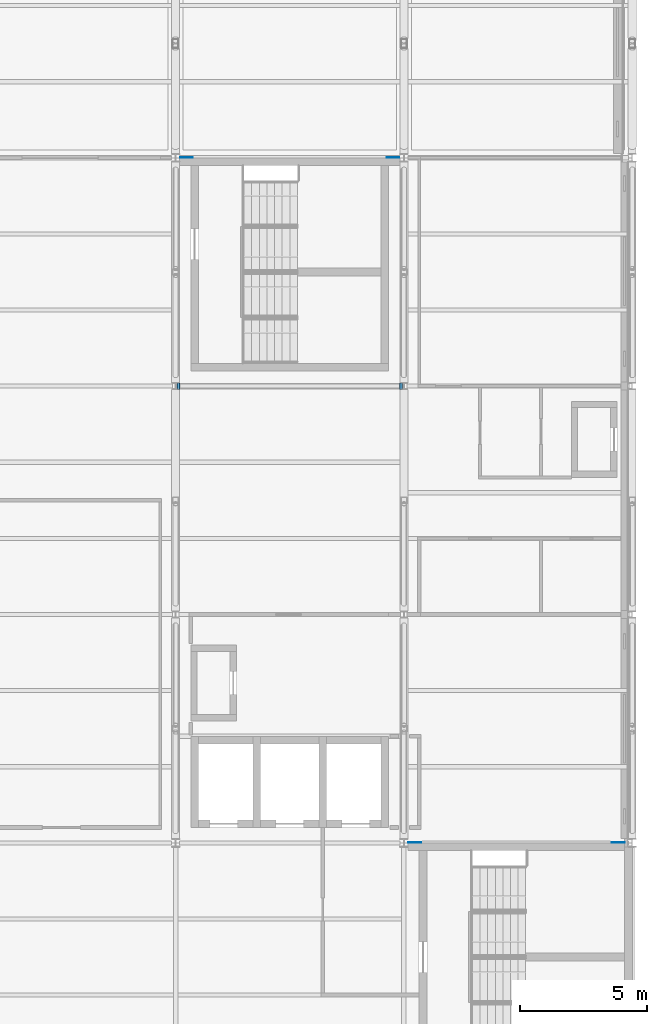
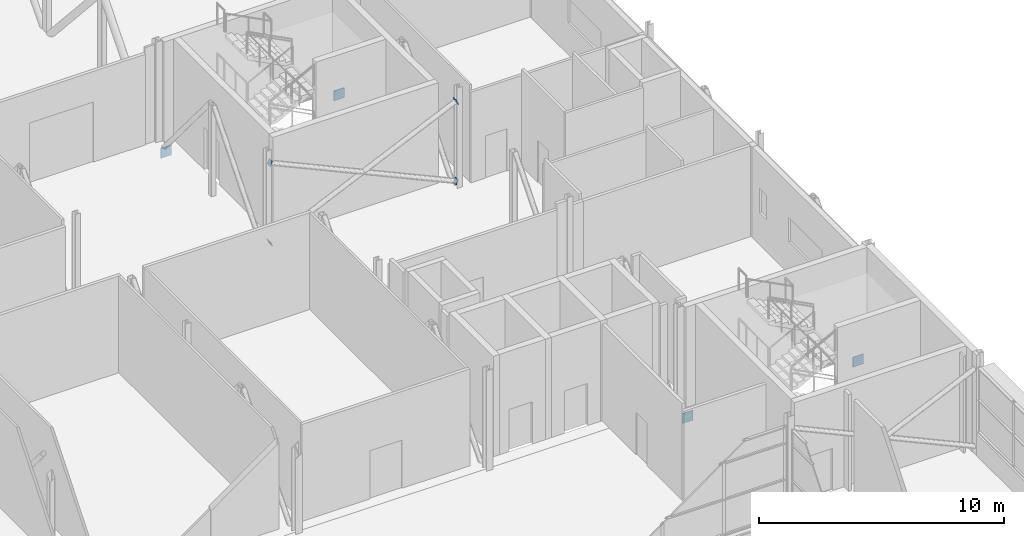
# One storey, part 88 of 94: 8 discrete accessories.
"""IFC4 building model written with IfcOpenShell, lengths in metres."""

from ifc_helpers import new_model, si_unit, direction, frame, origin, place, context, subcontext, project, spatial, polyline, outline, extrude, material, layer, layer_set, type_object, element, save


model = new_model("IFC4")

# Units and contexts
model_context = context("Model", 3, precision=1e-05, world=origin(), true_north=direction((0.0, 1.0)))
body_context = subcontext(model_context, "Body", "Model", "MODEL_VIEW")
ifc_project = project(units=[si_unit("LENGTHUNIT", "METRE"), si_unit("AREAUNIT", "SQUARE_METRE"), si_unit("VOLUMEUNIT", "CUBIC_METRE"), si_unit("PLANEANGLEUNIT", "RADIAN"), si_unit("MASSUNIT", "GRAM", prefix="KILO")], contexts=[model_context])

# Site, building, storey
site_placement = place(None, origin())
site = spatial("IfcSite", under=ifc_project, at=site_placement, CompositionType="ELEMENT")
building_placement = place(site_placement, origin())
building = spatial("IfcBuilding", under=site, at=building_placement, Name="Shorebreak Coast Museum", CompositionType="ELEMENT")
storey_placement = place(building_placement, frame((0.0, 0.0, 31.0)))
storey = spatial("IfcBuildingStorey", under=building, at=storey_placement, Name="L05", CompositionType="ELEMENT", Elevation=31.0)

# Discrete accessories
ifc_material_1 = material(Name="Steel Grade 300", Category="steel")
ifc_layer_1 = layer(ifc_material_1, 0.02490234375)
ifc_layer_set_1 = layer_set([ifc_layer_1], Name="Steel Grade 300")
discrete_accessory_type_1 = type_object("IfcDiscreteAccessoryType", Name="Cast-in plate 500 x 500 x 25", PredefinedType="ANCHORPLATE", material=ifc_layer_set_1)
for number, where, z_axis, x_axis, name in (
    (1, (99.175048828125, 117.0, -0.988525390625), (0.0, -1.0, 0.0), (1.0, 0.0, 0.0), "Cast-in plate Transfer truss TR6 chord C03 end 2"),
    (2, (108.175048828125, 90.0, -0.988525390625), (0.0, -1.0, 0.0), (1.0, 0.0, 0.0), "Cast-in plate Transfer truss TR7 chord C01 end 1"),
    (3, (107.324951171875, 117.0, -0.988525390625), (0.0, -1.0, 0.0), (1.0, 0.0, 0.0), "Cast-in plate Transfer truss TR7 chord C03 end 2"),
    (4, (116.199951171875, 90.0, -0.988525390625), (0.0, -1.0, 0.0), (1.0, 0.0, 0.0), "Cast-in plate Transfer truss TR8 chord C01 end 1"),
):
    element("IfcDiscreteAccessory", number, at=place(storey_placement, frame(where, z_axis=z_axis, x_axis=x_axis)), inside=storey, type_object=discrete_accessory_type_1, Name=name, PredefinedType="ANCHORPLATE", context=body_context, shape_type="SweptSolid", body=[
        extrude(outline(polyline([(0.0, 0.0), (0.5, 0.0), (0.5, 0.5), (0.0, 0.5), (0.0, 0.0)])), origin(), (0.0, 0.0, -1.0), 0.02490234375),
    ])
ifc_material_2 = material(Name="Steel Grade 300", Category="steel")
ifc_layer_2 = layer(ifc_material_2, 0.02490234375)
ifc_layer_set_2 = layer_set([ifc_layer_2], Name="Steel Grade 300")
discrete_accessory_type_2 = type_object("IfcDiscreteAccessoryType", Name="End plate 250 x 250 x 25", PredefinedType="BRACKET", material=ifc_layer_set_2)
discrete_accessory_1_placement = place(storey_placement, frame((99.1787109375, 107.875, 0.186279296875), z_axis=(0.910232642969, 0.0, 0.414097253883), x_axis=(0.0, 1.0, 0.0)))
element("IfcDiscreteAccessory", 5, at=discrete_accessory_1_placement, inside=storey, type_object=discrete_accessory_type_2, Name="End plate X-brace bay 11 L05 diagonal 1 end 1", PredefinedType="BRACKET", context=body_context, shape_type="SweptSolid", body=[
    extrude(outline(polyline([(0.0, 0.0), (0.25, 0.0), (0.25, 0.24997901828457428), (0.0, 0.24997901828457428), (0.0, 0.0)])), origin(), (0.0, 0.0, -1.0), 0.02490234375),
])
discrete_accessory_2_placement = place(storey_placement, frame((107.947509765625, 107.875, 4.17138671875), z_axis=(0.910399891513, 0.0, 0.413729425511), x_axis=(0.0, 1.0, 0.0)))
element("IfcDiscreteAccessory", 6, at=discrete_accessory_2_placement, inside=storey, type_object=discrete_accessory_type_2, Name="End plate X-brace bay 11 L05 diagonal 1 end 2", PredefinedType="BRACKET", context=body_context, shape_type="SweptSolid", body=[
    extrude(outline(polyline([(0.0, 0.0), (0.25, 0.0), (0.25, 0.25020126347607763), (0.0, 0.25020126347607763), (0.0, 0.0)])), origin(), (0.0, 0.0, -1.0), 0.02490234375),
])
discrete_accessory_3_placement = place(storey_placement, frame((107.8212890625, 108.125, 0.186279296875), z_axis=(-0.910232642969, 0.0, 0.414097253883), x_axis=(0.0, -1.0, 0.0)))
element("IfcDiscreteAccessory", 7, at=discrete_accessory_3_placement, inside=storey, type_object=discrete_accessory_type_2, Name="End plate X-brace bay 11 L05 diagonal 2 end 1", PredefinedType="BRACKET", context=body_context, shape_type="SweptSolid", body=[
    extrude(outline(polyline([(0.0, 0.0), (0.25, 0.0), (0.25, 0.24997901828457428), (0.0, 0.24997901828457428), (0.0, 0.0)])), origin(), (0.0, 0.0, -1.0), 0.02490234375),
])
discrete_accessory_4_placement = place(storey_placement, frame((99.052490234375, 108.125, 4.17138671875), z_axis=(-0.910399891513, 0.0, 0.413729425511), x_axis=(0.0, -1.0, 0.0)))
element("IfcDiscreteAccessory", 8, at=discrete_accessory_4_placement, inside=storey, type_object=discrete_accessory_type_2, Name="End plate X-brace bay 11 L05 diagonal 2 end 2", PredefinedType="BRACKET", context=body_context, shape_type="SweptSolid", body=[
    extrude(outline(polyline([(0.0, 0.0), (0.25, 0.0), (0.25, 0.25020126347607763), (0.0, 0.25020126347607763), (0.0, 0.0)])), origin(), (0.0, 0.0, -1.0), 0.02490234375),
])

save(model, "model.ifc")
